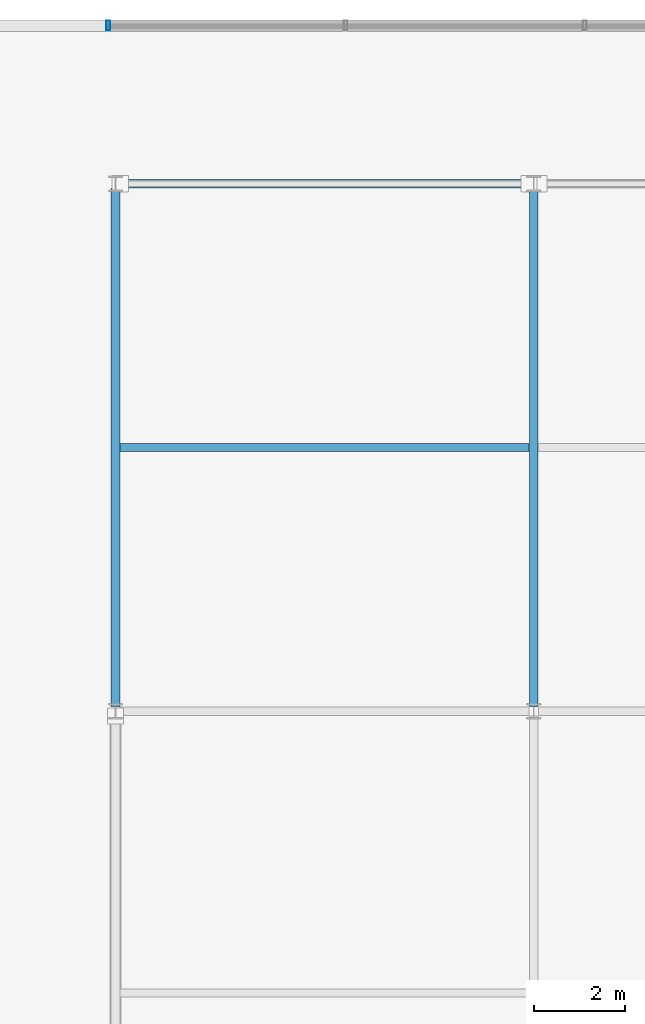
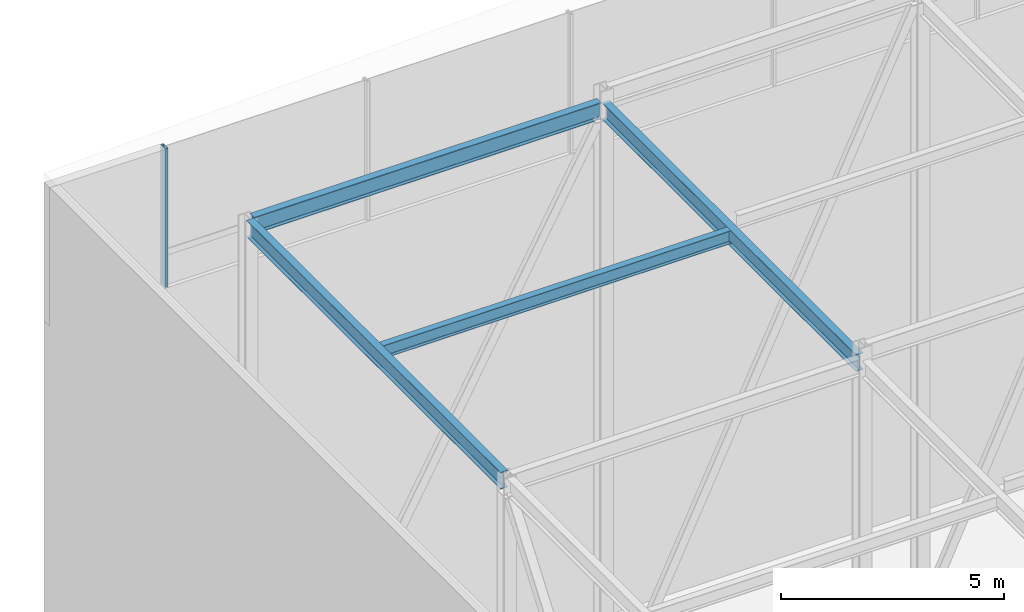
# One storey, part 22 of 39: 4 beams, 1 member, 1 element without a shape of its own.
"""IFC4 building model written with IfcOpenShell, lengths in metres."""

from ifc_helpers import new_model, si_unit, direction, frame, origin, origin_2d, place, context, subcontext, project, spatial, hollow_rectangle, i_section, extrude, material, layer, layer_set, material_profile, profile_set, type_object, element, aggregate, save


model = new_model("IFC4")

# Units and contexts
model_context = context("Model", 3, precision=1e-05, world=origin(), true_north=direction((0.0, 1.0)))
body_context = subcontext(model_context, "Body", "Model", "MODEL_VIEW")
ifc_project = project(units=[si_unit("LENGTHUNIT", "METRE"), si_unit("AREAUNIT", "SQUARE_METRE"), si_unit("VOLUMEUNIT", "CUBIC_METRE"), si_unit("PLANEANGLEUNIT", "RADIAN"), si_unit("MASSUNIT", "GRAM", prefix="KILO")], contexts=[model_context])

# Site, building, storey
site_placement = place(None, origin())
site = spatial("IfcSite", under=ifc_project, at=site_placement, CompositionType="ELEMENT")
building_placement = place(site_placement, origin())
building = spatial("IfcBuilding", under=site, at=building_placement, Name="Korimba Cascade Residences", CompositionType="ELEMENT")
storey_placement = place(building_placement, frame((0.0, 0.0, 264.199951171875)))
storey = spatial("IfcBuildingStorey", under=building, at=storey_placement, Name="RF", CompositionType="ELEMENT", Elevation=264.199951171875)

# Beams
ifc_material_1 = material(Name="Steel S355", Category="steel")
ifc_material_profile_1 = material_profile(ifc_material_1, i_section(OverallWidth=0.172119140625, OverallDepth=0.35791015625, WebThickness=0.008056640625, FlangeThickness=0.012939453125, FilletRadius=0.01025390625, at=origin_2d()), Name="Steel S355")
ifc_profile_set_1 = profile_set([ifc_material_profile_1], Name="Steel S355")
beam_type_1 = type_object("IfcBeamType", Name="BM-STL-UB356", PredefinedType="JOIST", material=ifc_profile_set_1)
beam_1_placement = place(storey_placement, frame((103.0, 85.39990234375, 16.68994140625), z_axis=(1.0, 0.0, 0.0), x_axis=(0.0, 1.0, 0.0)))
element("IfcBeam", 1, at=beam_1_placement, inside=storey, type_object=beam_type_1, Name="RF Crown Cap Joist E3.1", PredefinedType="JOIST", context=body_context, shape_type="SweptSolid", body=[
    extrude(i_section(OverallWidth=0.172119140625, OverallDepth=0.35791015625, WebThickness=0.008056640625, FlangeThickness=0.012939453125, FilletRadius=0.01025390625, at=origin_2d()), origin(), (0.0, 0.0, 1.0), 9.0),
])
ifc_material_profile_2 = material_profile(ifc_material_1, i_section(OverallWidth=0.19140625, OverallDepth=0.4599609375, WebThickness=0.010009765625, FlangeThickness=0.01611328125, FilletRadius=0.01025390625, at=origin_2d()), Name="Steel S355")
ifc_profile_set_2 = profile_set([ifc_material_profile_2], Name="Steel S355")
beam_type_2 = type_object("IfcBeamType", Name="BM-STL-UB457", PredefinedType="JOIST", material=ifc_profile_set_2)
beam_2_placement = place(storey_placement, frame((103.0048828125, 91.199951171875, 16.638916015625), z_axis=(1.0, 0.0, 0.0), x_axis=(0.0, 1.0, 0.0)))
element("IfcBeam", 2, at=beam_2_placement, inside=storey, type_object=beam_type_2, Name="RF Crown Cap Ring Beam E4.1", PredefinedType="JOIST", context=body_context, shape_type="SweptSolid", body=[
    extrude(i_section(OverallWidth=0.19140625, OverallDepth=0.4599609375, WebThickness=0.010009765625, FlangeThickness=0.01611328125, FilletRadius=0.01025390625, at=origin_2d()), origin(), (0.0, 0.0, 1.0), 8.990234375),
])
for number, where, z_axis, x_axis, name in (
    (3, (102.89990234375, 79.705078125, 16.638916015625), (0.0, 1.0, 0.0), (-1.0, 0.0, 0.0), "RF Crown Cap Tie Beam E1.3"),
    (4, (112.10009765625, 79.705078125, 16.638916015625), (0.0, 1.0, 0.0), (-1.0, 0.0, 0.0), "RF Crown Cap Tie Beam E2.3"),
):
    element("IfcBeam", number, at=place(storey_placement, frame(where, z_axis=z_axis, x_axis=x_axis)), inside=storey, type_object=beam_type_2, Name=name, PredefinedType="JOIST", context=body_context, shape_type="SweptSolid", body=[
        extrude(i_section(OverallWidth=0.19140625, OverallDepth=0.4599609375, WebThickness=0.010009765625, FlangeThickness=0.01611328125, FilletRadius=0.01025390625, at=origin_2d()), origin(), (0.0, 0.0, 1.0), 11.389892578125),
    ])

# Curtain wall, member
ifc_material_2 = material(Name="Anodised Aluminium Curtain Wall Framing", Category="aluminium")
ifc_layer = layer(ifc_material_2, 0.179931640625)
ifc_layer_set = layer_set([ifc_layer], Name="Anodised Aluminium Curtain Wall Framing")
curtain_wall_type = type_object("IfcCurtainWallType", Name="CW-CRNW-SYS5", PredefinedType="NOTDEFINED", material=ifc_layer_set)
curtain_wall_placement = place(storey_placement, origin())
curtain_wall = element("IfcCurtainWall", 5, at=curtain_wall_placement, inside=storey, type_object=curtain_wall_type, Name="RF Curtain Wall CW-RF-CRN-E-2", PredefinedType="NOTDEFINED")
ifc_material_3 = material(Name="Anodised Aluminium Mullion", Category="aluminium")
ifc_material_profile_3 = material_profile(ifc_material_3, hollow_rectangle(XDim=0.080078125, YDim=0.219970703125, WallThickness=0.00634765625, InnerFilletRadius=0.00634765625, OuterFilletRadius=0.0126953125, at=origin_2d()), Name="Anodised Aluminium Mullion")
ifc_profile_set_3 = profile_set([ifc_material_profile_3], Name="Anodised Aluminium Mullion")
member_type = type_object("IfcMemberType", Name="CWM-MUL-220", PredefinedType="MULLION", material=ifc_profile_set_3)
member_placement = place(storey_placement, frame((102.739990234375, 94.675048828125, 12.949951171875), z_axis=(0.0, 0.0, 1.0), x_axis=(1.0, 0.0, 0.0)))
member = element("IfcMember", 6, at=member_placement, type_object=member_type, Name="CW-RF-CRN-E-2 Mullion 1", PredefinedType="MULLION", context=body_context, shape_type="SweptSolid", body=[
    extrude(hollow_rectangle(XDim=0.080078125, YDim=0.219970703125, WallThickness=0.00634765625, InnerFilletRadius=0.00634765625, OuterFilletRadius=0.0126953125, at=origin_2d()), origin(), (0.0, 0.0, 1.0), 3.800048828125),
])
aggregate(curtain_wall, [member])

save(model, "model.ifc")
